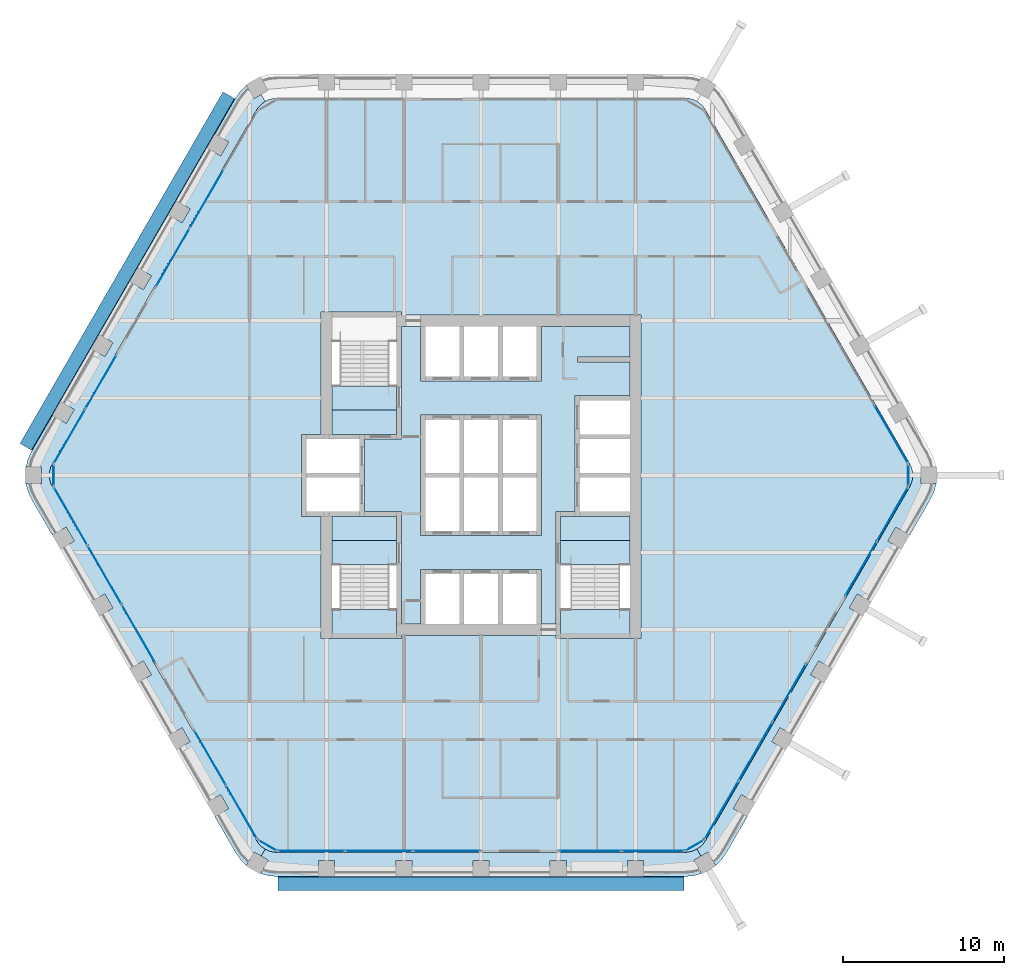
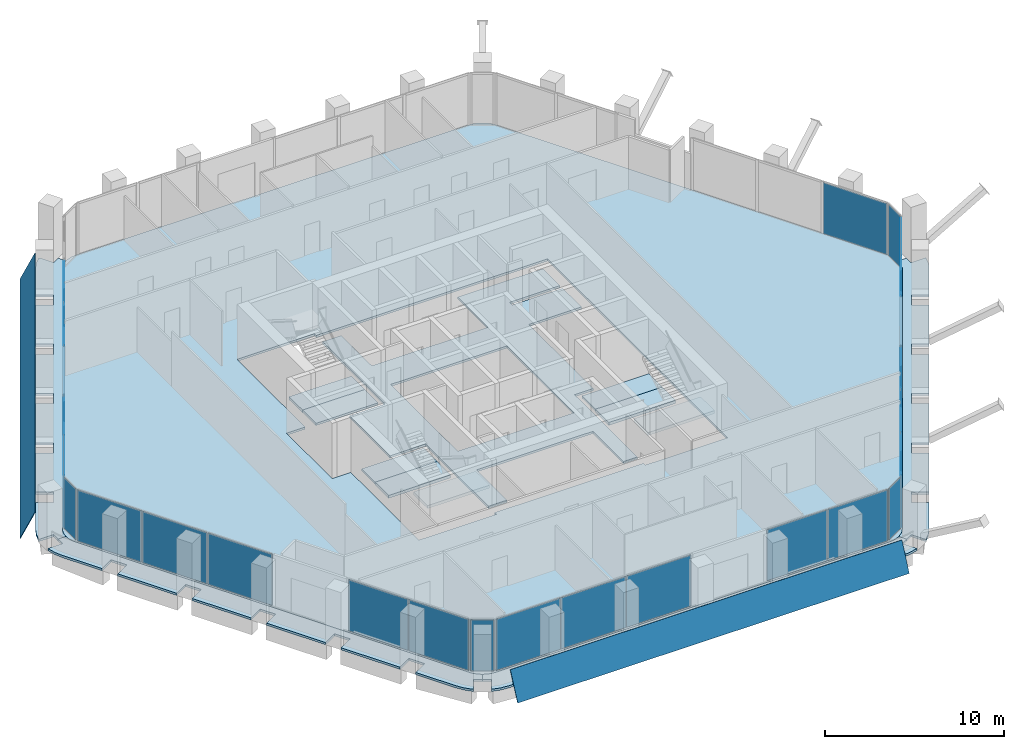
# One storey, part 8 of 16: 26 plates, 14 slabs, 16 elements without a shape of their own.
"""IFC4 building model written with IfcOpenShell, lengths in metres."""

import ifcopenshell
import ifcopenshell.guid

model = None  # the IFC model being written
_history = None  # IfcOwnerHistory: only IFC2X3 demands one
_inside = {}  # id of a spatial element -> (the spatial element, [elements in it])
_under = {}  # id of a project, library or spatial element -> (it, [spatial elements below it])
_declared = {}  # id of a project -> (the project, [libraries it declares])
_typed = {}  # id of a type object -> (the type object, [elements of that type])
_made_of = {}  # id of a material, layer set ... -> (it, [elements and type objects made of it])


def new_model(schema):
    """Start an empty IFC model of exactly this schema.

    Asked for "IFC4X3", IfcOpenShell would pick the latest addendum, in which some entities
    have other attributes; the version numbers below select the first issue.
    IFC2X3 requires an IfcOwnerHistory on every rooted entity: one is made here for all.
    """
    global model, _history
    if schema == "IFC4X3":
        model = ifcopenshell.file(schema_version=(4, 3, 0, 0))
    else:
        model = ifcopenshell.file(schema=schema)
    _inside.clear()
    _under.clear()
    _declared.clear()
    _typed.clear()
    _made_of.clear()
    _history = None
    if model.schema == "IFC2X3":
        org = make("IfcOrganization", Name="unknown")
        user = make(
            "IfcPersonAndOrganization",
            ThePerson=make("IfcPerson", FamilyName="unknown"),
            TheOrganization=org,
        )
        app = make(
            "IfcApplication",
            ApplicationDeveloper=org,
            Version="unknown",
            ApplicationFullName="unknown",
            ApplicationIdentifier="unknown",
        )
        _history = make(
            "IfcOwnerHistory",
            OwningUser=user,
            OwningApplication=app,
            ChangeAction="ADDED",
            CreationDate=0,
        )
    return model


def make(cls, **values):
    """One entity of the class cls with the attributes given. An attribute that is None is left unset."""
    return model.create_entity(
        cls, **{name: value for name, value in values.items() if value is not None}
    )


def rooted(cls, **values):
    """An entity with a GlobalId (a new one), such as an element, a storey or a relation."""
    return make(cls, GlobalId=ifcopenshell.guid.new(), OwnerHistory=_history, **values)


def si_unit(unit_type, name, prefix=None):
    """IfcSIUnit, for example si_unit("LENGTHUNIT", "METRE", prefix="MILLI")."""
    return make("IfcSIUnit", UnitType=unit_type, Prefix=prefix, Name=name)


def assignment(units):
    """IfcUnitAssignment: the units of a project."""
    return None if units is None else make("IfcUnitAssignment", Units=units)


def point(xyz):
    """IfcCartesianPoint."""
    return None if xyz is None else make("IfcCartesianPoint", Coordinates=xyz)


def direction(xyz):
    """IfcDirection."""
    return None if xyz is None else make("IfcDirection", DirectionRatios=xyz)


def frame(location, z_axis=None, x_axis=None):
    """IfcAxis2Placement3D, a coordinate frame: its origin and axes. An axis left out is left unset."""
    return make(
        "IfcAxis2Placement3D",
        Location=point(location),
        Axis=direction(z_axis),
        RefDirection=direction(x_axis),
    )


def frame_2d(location, x_axis=None):
    """IfcAxis2Placement2D, a coordinate frame in the plane: its origin and x axis."""
    return make(
        "IfcAxis2Placement2D", Location=point(location), RefDirection=direction(x_axis)
    )


def origin():
    """The frame at (0, 0, 0) with its axes left unset."""
    return frame((0.0, 0.0, 0.0))


def origin_2d():
    """The frame at (0, 0) in the plane with its x axis left unset."""
    return frame_2d((0.0, 0.0))


def place(relative_to, where):
    """IfcLocalPlacement: puts the frame where relative to a parent placement (None: the world)."""
    return make(
        "IfcLocalPlacement", PlacementRelTo=relative_to, RelativePlacement=where
    )


def context(
    kind, dimensions, precision=None, world=None, true_north=None, identifier=None
):
    """IfcGeometricRepresentationContext, for example the 3D "Model" context."""
    return make(
        "IfcGeometricRepresentationContext",
        ContextIdentifier=identifier,
        ContextType=kind,
        CoordinateSpaceDimension=dimensions,
        Precision=precision,
        WorldCoordinateSystem=world,
        TrueNorth=true_north,
    )


def subcontext(parent, identifier, kind, view, scale=None):
    """IfcGeometricRepresentationSubContext, for example "Body" below "Model"."""
    return make(
        "IfcGeometricRepresentationSubContext",
        ContextIdentifier=identifier,
        ContextType=kind,
        ParentContext=parent,
        TargetScale=scale,
        TargetView=view,
    )


def project(units=None, contexts=None):
    """IfcProject with its units and contexts."""
    return rooted(
        "IfcProject",
        Name="project",
        RepresentationContexts=contexts,
        UnitsInContext=assignment(units),
    )


def spatial(cls, under=None, at=None, **own):
    """A site, building, storey or space (cls), placed at a placement, below another one or the project."""
    s = rooted(cls, ObjectPlacement=at, **own)
    if under is not None:
        _under.setdefault(under.id(), (under, []))[1].append(s)
    return s


def polyline(points):
    """IfcPolyline through the points."""
    return make("IfcPolyline", Points=[point(p) for p in points])


def profile(cls, at=None, kind="AREA", **sizes):
    """A parametric profile (cls). Its sizes go by their IFC names, for example OverallWidth=200.0."""
    return make(cls, ProfileType=kind, Position=at, **sizes)


def rectangle(**sizes):
    """IfcRectangleProfileDef."""
    return profile("IfcRectangleProfileDef", **sizes)


def outline(outer, holes=None, kind="AREA"):
    """IfcArbitraryClosedProfileDef: a profile drawn as a closed curve; with holes, ...WithVoids."""
    if holes is None:
        return make("IfcArbitraryClosedProfileDef", ProfileType=kind, OuterCurve=outer)
    return make(
        "IfcArbitraryProfileDefWithVoids",
        ProfileType=kind,
        OuterCurve=outer,
        InnerCurves=holes,
    )


def extrude(swept, where, along, depth):
    """IfcExtrudedAreaSolid: the profile swept, set in the frame where, extruded along a direction by depth."""
    return make(
        "IfcExtrudedAreaSolid",
        SweptArea=swept,
        Position=where,
        ExtrudedDirection=direction(along),
        Depth=depth,
    )


def shape(context_of_items, identifier, shape_type, items):
    """IfcShapeRepresentation: the items that make up one representation, for example the "Body"."""
    return make(
        "IfcShapeRepresentation",
        ContextOfItems=context_of_items,
        RepresentationIdentifier=identifier,
        RepresentationType=shape_type,
        Items=items,
    )


def material(Name=None, Category=None):
    """IfcMaterial."""
    return make("IfcMaterial", Name=Name, Category=Category)


def layer(
    of_material, thickness, ventilated=None, Name=None, Category=None, Priority=None
):
    """IfcMaterialLayer: one layer of a wall or slab, of a material (None: an air gap)."""
    return make(
        "IfcMaterialLayer",
        Material=of_material,
        LayerThickness=thickness,
        IsVentilated=ventilated,
        Name=Name,
        Category=Category,
        Priority=Priority,
    )


def layer_set(layers, Name=None):
    """IfcMaterialLayerSet."""
    return make("IfcMaterialLayerSet", MaterialLayers=layers, LayerSetName=Name)


def made_of(thing, what):
    """Note that an element or type object is made of a material, layer set ...; save() writes the relation."""
    if what is not None:
        _made_of.setdefault(what.id(), (what, []))[1].append(thing)
    return thing


def type_object(cls, material=None, **own):
    """A type object (cls), such as IfcWallType, which elements share."""
    return made_of(rooted(cls, **own), material)


def element(
    cls,
    number,
    at=None,
    inside=None,
    cuts=None,
    type_object=None,
    material=None,
    context=None,
    identifier="Body",
    shape_type=None,
    held_by="IfcProductDefinitionShape",
    body=None,
    shapes=None,
    **own,
):
    """One element of the class cls, such as IfcWall. Its Tag is "e" and its number.

    at: its placement. inside: the storey or other place that contains it. cuts: it is an
    opening in that element (IfcRelVoidsElement). A single representation is given by context,
    identifier, shape_type and body (its items); several are given by shapes. held_by: the class
    of the entity that holds the representations. save() writes the other relations.
    """
    e = rooted(cls, Tag="e%d" % number, ObjectPlacement=at, **own)
    if body is not None:
        shapes = [shape(context, identifier, shape_type, body)]
    if shapes is not None:
        e.Representation = make(held_by, Representations=shapes)
    if inside is not None:
        _inside.setdefault(inside.id(), (inside, []))[1].append(e)
    if cuts is not None:
        rooted(
            "IfcRelVoidsElement", RelatingBuildingElement=cuts, RelatedOpeningElement=e
        )
    if type_object is not None:
        _typed.setdefault(type_object.id(), (type_object, []))[1].append(e)
    return made_of(e, material)


def aggregate(whole, parts):
    """IfcRelAggregates: a whole, such as a stair, and the parts it consists of."""
    return rooted("IfcRelAggregates", RelatingObject=whole, RelatedObjects=parts)


def save(model, path):
    """Write the relations noted so far, then the file.

    IfcRelAggregates (storeys below a building ...), IfcRelContainedInSpatialStructure (elements
    in a storey), IfcRelDefinesByType, IfcRelAssociatesMaterial and IfcRelDeclares: one each for
    every whole, place, type object, material and project.
    """
    for whole, parts in _under.values():
        aggregate(whole, parts)
    for where, things in _inside.values():
        rooted(
            "IfcRelContainedInSpatialStructure",
            RelatedElements=things,
            RelatingStructure=where,
        )
    for kind, things in _typed.values():
        rooted("IfcRelDefinesByType", RelatedObjects=things, RelatingType=kind)
    for what, things in _made_of.values():
        rooted("IfcRelAssociatesMaterial", RelatedObjects=things, RelatingMaterial=what)
    for by, libraries in _declared.values():
        rooted("IfcRelDeclares", RelatingContext=by, RelatedDefinitions=libraries)
    model.write(path)


model = new_model("IFC4")

# Units and contexts
model_context = context("Model", 3, precision=1e-05, world=origin(), true_north=direction((0.0, 1.0)))
body_context = subcontext(model_context, "Body", "Model", "MODEL_VIEW")
ifc_project = project(units=[si_unit("LENGTHUNIT", "METRE"), si_unit("AREAUNIT", "SQUARE_METRE"), si_unit("VOLUMEUNIT", "CUBIC_METRE"), si_unit("PLANEANGLEUNIT", "RADIAN"), si_unit("MASSUNIT", "GRAM", prefix="KILO")], contexts=[model_context])

# Site, building, storey
site_placement = place(None, origin())
site = spatial("IfcSite", under=ifc_project, at=site_placement, CompositionType="ELEMENT")
building_placement = place(site_placement, origin())
building = spatial("IfcBuilding", under=site, at=building_placement, Name="Kolab Exchange Tower", CompositionType="ELEMENT")
storey_placement = place(building_placement, frame((0.0, 0.0, 177.800048828125)))
storey = spatial("IfcBuildingStorey", under=building, at=storey_placement, Name="L37", CompositionType="ELEMENT", Elevation=177.800048828125)

# Slabs
ifc_material_1 = material(Name="Concrete C35/45", Category="concrete")
ifc_layer_1 = layer(ifc_material_1, 0.14990234375)
ifc_layer_set_1 = layer_set([ifc_layer_1], Name="Concrete C35/45")
slab_type_1 = type_object("IfcSlabType", Name="FLOOR SLAB 150", PredefinedType="FLOOR", material=ifc_layer_set_1)
slab_1_placement = place(storey_placement, frame((0.0, 0.0, -0.150146484375)))
element("IfcSlab", 1, at=slab_1_placement, inside=storey, type_object=slab_type_1, Name="slab/L37/floor/0", PredefinedType="FLOOR", context=body_context, shape_type="SweptSolid", body=[
    extrude(outline(polyline([(13.967041015625, -22.691650390625), (26.635009765625, -0.75), (26.745361328125, -0.512939453125), (26.81298828125, -0.260498046875), (26.8359375, 0.0), (26.81298828125, 0.260498046875), (26.745361328125, 0.512939453125), (26.635009765625, 0.75), (13.967041015625, 22.691650390625), (13.81689453125, 22.90576171875), (13.632080078125, 23.090576171875), (13.41796875, 23.240478515625), (13.180908203125, 23.35107421875), (12.928466796875, 23.418701171875), (12.66796875, 23.441650390625), (-12.66796875, 23.441650390625), (-12.928466796875, 23.418701171875), (-13.180908203125, 23.35107421875), (-13.41796875, 23.240478515625), (-13.632080078125, 23.090576171875), (-13.81689453125, 22.90576171875), (-13.967041015625, 22.691650390625), (-26.635009765625, 0.75), (-26.745361328125, 0.512939453125), (-26.81298828125, 0.260498046875), (-26.8359375, 0.0), (-26.81298828125, -0.260498046875), (-26.745361328125, -0.512939453125), (-26.635009765625, -0.75), (-13.967041015625, -22.691650390625), (-13.81689453125, -22.90576171875), (-13.632080078125, -23.090576171875), (-13.41796875, -23.240478515625), (-13.180908203125, -23.35107421875), (-12.928466796875, -23.418701171875), (-12.66796875, -23.441650390625), (12.66796875, -23.441650390625), (12.928466796875, -23.418701171875), (13.180908203125, -23.35107421875), (13.41796875, -23.240478515625), (13.632080078125, -23.090576171875), (13.81689453125, -22.90576171875), (13.967041015625, -22.691650390625)]), holes=[polyline([(-9.25, -10.14990234375), (-9.949951171875, -10.14990234375), (-9.949951171875, -2.550048828125), (-10.85009765625, -2.550048828125), (-11.14990234375, -2.550048828125), (-11.14990234375, 2.550048828125), (-10.85009765625, 2.550048828125), (-9.949951171875, 2.550048828125), (-9.949951171875, 10.14990234375), (-9.25, 10.14990234375), (-5.25, 10.14990234375), (-4.949951171875, 10.14990234375), (-4.949951171875, 9.949951171875), (9.25, 9.949951171875), (9.949951171875, 9.949951171875), (9.949951171875, -10.14990234375), (9.25, -10.14990234375), (4.949951171875, -10.14990234375), (4.64990234375, -10.14990234375), (4.64990234375, -9.949951171875), (-4.949951171875, -9.949951171875), (-4.949951171875, -10.14990234375), (-5.25, -10.14990234375), (-9.25, -10.14990234375)])]), origin(), (0.0, 0.0, 1.0), 0.150146484375),
])
slab_2_placement = place(storey_placement, frame((0.0, 0.0, -0.150146484375)))
element("IfcSlab", 2, at=slab_2_placement, inside=storey, type_object=slab_type_1, Name="slab/L37/floor/1", PredefinedType="FLOOR", context=body_context, shape_type="SweptSolid", body=[
    extrude(outline(polyline([(-4.949951171875, 9.25), (-4.949951171875, 2.25), (-5.25, 2.25), (-7.25, 2.25), (-7.25, -2.25), (-5.25, -2.25), (-4.949951171875, -2.25), (-4.949951171875, -9.25), (-3.75, -9.25), (-3.75, -5.85009765625), (-3.449951171875, -5.85009765625), (-1.35009765625, -5.85009765625), (-1.050048828125, -5.85009765625), (1.050048828125, -5.85009765625), (1.35009765625, -5.85009765625), (3.449951171875, -5.85009765625), (3.75, -5.85009765625), (3.75, -9.25), (4.64990234375, -9.25), (4.64990234375, -2.25), (4.949951171875, -2.25), (5.85009765625, -2.25), (5.85009765625, 4.949951171875), (6.14990234375, 4.949951171875), (9.25, 4.949951171875), (9.25, 7.050048828125), (6.0, 7.050048828125), (6.0, 7.35009765625), (9.25, 7.35009765625), (9.25, 9.25), (3.75, 9.25), (3.75, 5.85009765625), (3.449951171875, 5.85009765625), (1.35009765625, 5.85009765625), (1.050048828125, 5.85009765625), (-1.050048828125, 5.85009765625), (-1.35009765625, 5.85009765625), (-3.449951171875, 5.85009765625), (-3.75, 5.85009765625), (-3.75, 9.25), (-4.949951171875, 9.25)]), holes=[polyline([(-3.449951171875, -3.75), (-3.75, -3.75), (-3.75, 3.75), (-3.449951171875, 3.75), (-1.35009765625, 3.75), (-1.050048828125, 3.75), (1.050048828125, 3.75), (1.35009765625, 3.75), (3.449951171875, 3.75), (3.75, 3.75), (3.75, -3.75), (3.449951171875, -3.75), (1.35009765625, -3.75), (1.050048828125, -3.75), (-1.050048828125, -3.75), (-1.35009765625, -3.75), (-3.449951171875, -3.75)])]), origin(), (0.0, 0.0, 1.0), 0.150146484375),
])
slab_3_placement = place(storey_placement, frame((0.0, 0.0, -0.150146484375)))
element("IfcSlab", 3, at=slab_3_placement, inside=storey, type_object=slab_type_1, Name="slab/L37/floor/2", PredefinedType="FLOOR", context=body_context, shape_type="SweptSolid", body=[
    extrude(outline(polyline([(4.949951171875, -4.050048828125), (9.25, -4.050048828125), (9.25, -2.550048828125), (6.14990234375, -2.550048828125), (5.85009765625, -2.550048828125), (4.949951171875, -2.550048828125), (4.949951171875, -4.050048828125)])), origin(), (0.0, 0.0, 1.0), 0.150146484375),
])
slab_4_placement = place(storey_placement, frame((0.0, 0.0, -0.150146484375)))
element("IfcSlab", 4, at=slab_4_placement, inside=storey, type_object=slab_type_1, Name="slab/L37/floor/3", PredefinedType="FLOOR", context=body_context, shape_type="SweptSolid", body=[
    extrude(outline(polyline([(-7.550048828125, -2.550048828125), (-9.25, -2.550048828125), (-9.25, -4.050048828125), (-5.25, -4.050048828125), (-5.25, -2.550048828125), (-7.25, -2.550048828125), (-7.550048828125, -2.550048828125)])), origin(), (0.0, 0.0, 1.0), 0.150146484375),
])
slab_5_placement = place(storey_placement, frame((0.0, 0.0, -0.150146484375)))
element("IfcSlab", 5, at=slab_5_placement, inside=storey, type_object=slab_type_1, Name="slab/L37/floor/4", PredefinedType="FLOOR", context=body_context, shape_type="SweptSolid", body=[
    extrude(outline(polyline([(-9.25, 2.550048828125), (-7.550048828125, 2.550048828125), (-7.25, 2.550048828125), (-5.25, 2.550048828125), (-5.25, 4.050048828125), (-9.25, 4.050048828125), (-9.25, 2.550048828125)])), origin(), (0.0, 0.0, 1.0), 0.150146484375),
])
ifc_layer_2 = layer(ifc_material_1, 0.14990234375)
ifc_layer_set_2 = layer_set([ifc_layer_2], Name="Concrete C35/45")
slab_type_2 = type_object("IfcSlabType", Name="LOGGIA SLAB 150", PredefinedType="FLOOR", material=ifc_layer_set_2)
slab_6_placement = place(storey_placement, frame((0.0, 0.0, -0.150146484375)))
element("IfcSlab", 6, at=slab_6_placement, inside=storey, type_object=slab_type_2, Name="slab/L37/loggia/2-0", PredefinedType="FLOOR", context=body_context, shape_type="SweptSolid", body=[
    extrude(outline(polyline([(15.26611328125, -23.441650390625), (16.550048828125, -21.217529296875), (15.68408203125, -20.717529296875), (16.18408203125, -19.8515625), (17.050048828125, -20.3515625), (18.949951171875, -17.060791015625), (18.083984375, -16.560791015625), (18.583984375, -15.694580078125), (19.449951171875, -16.194580078125), (21.35009765625, -12.90380859375), (20.48388671875, -12.40380859375), (20.98388671875, -11.537841796875), (21.85009765625, -12.037841796875), (23.75, -8.746826171875), (22.884033203125, -8.246826171875), (23.384033203125, -7.380859375), (24.25, -7.880859375), (26.14990234375, -4.58984375), (25.283935546875, -4.08984375), (25.783935546875, -3.223876953125), (26.64990234375, -3.723876953125), (27.93408203125, -1.5), (28.155029296875, -1.026123046875), (28.290283203125, -0.52099609375), (28.292236328125, -0.5), (27.3359375, -0.5), (27.3359375, 0.0), (26.8359375, 0.0), (26.81298828125, -0.260498046875), (26.745361328125, -0.512939453125), (26.635009765625, -0.75), (13.967041015625, -22.691650390625), (13.81689453125, -22.90576171875), (13.632080078125, -23.090576171875), (13.41796875, -23.240478515625), (13.66796875, -23.673583984375), (14.10107421875, -23.423583984375), (14.5791015625, -24.251708984375), (14.59619140625, -24.23974609375), (14.966064453125, -23.869873046875), (15.26611328125, -23.441650390625)])), origin(), (0.0, 0.0, 1.0), 0.150146484375),
])
slab_7_placement = place(storey_placement, frame((0.0, 0.0, -0.150146484375)))
element("IfcSlab", 7, at=slab_7_placement, inside=storey, type_object=slab_type_2, Name="slab/L37/loggia/3-0", PredefinedType="FLOOR", context=body_context, shape_type="SweptSolid", body=[
    extrude(outline(polyline([(-13.41796875, -23.240478515625), (-13.66796875, -23.673583984375), (-13.23486328125, -23.923583984375), (-13.713134765625, -24.751708984375), (-13.694091796875, -24.760498046875), (-13.18896484375, -24.89599609375), (-12.66796875, -24.941650390625), (-10.10009765625, -24.941650390625), (-10.10009765625, -23.941650390625), (-9.10009765625, -23.941650390625), (-9.10009765625, -24.941650390625), (-5.300048828125, -24.941650390625), (-5.300048828125, -23.941650390625), (-4.300048828125, -23.941650390625), (-4.300048828125, -24.941650390625), (-0.5, -24.941650390625), (-0.5, -23.941650390625), (0.5, -23.941650390625), (0.5, -24.941650390625), (4.300048828125, -24.941650390625), (4.300048828125, -23.941650390625), (5.300048828125, -23.941650390625), (5.300048828125, -24.941650390625), (9.10009765625, -24.941650390625), (9.10009765625, -23.941650390625), (10.10009765625, -23.941650390625), (10.10009765625, -24.941650390625), (12.66796875, -24.941650390625), (13.18896484375, -24.89599609375), (13.694091796875, -24.760498046875), (13.713134765625, -24.751708984375), (13.23486328125, -23.923583984375), (13.66796875, -23.673583984375), (13.41796875, -23.240478515625), (13.180908203125, -23.35107421875), (12.928466796875, -23.418701171875), (12.66796875, -23.441650390625), (-12.66796875, -23.441650390625), (-12.928466796875, -23.418701171875), (-13.180908203125, -23.35107421875), (-13.41796875, -23.240478515625)])), origin(), (0.0, 0.0, 1.0), 0.150146484375),
])
slab_8_placement = place(storey_placement, frame((0.0, 0.0, -0.150146484375)))
element("IfcSlab", 8, at=slab_8_placement, inside=storey, type_object=slab_type_2, Name="slab/L37/loggia/4-0", PredefinedType="FLOOR", context=body_context, shape_type="SweptSolid", body=[
    extrude(outline(polyline([(-26.8359375, 0.0), (-27.3359375, 0.0), (-27.3359375, -0.5), (-28.292236328125, -0.5), (-28.290283203125, -0.52099609375), (-28.155029296875, -1.026123046875), (-27.93408203125, -1.5), (-26.64990234375, -3.723876953125), (-25.783935546875, -3.223876953125), (-25.283935546875, -4.08984375), (-26.14990234375, -4.58984375), (-24.25, -7.880859375), (-23.384033203125, -7.380859375), (-22.884033203125, -8.246826171875), (-23.75, -8.746826171875), (-21.85009765625, -12.037841796875), (-20.98388671875, -11.537841796875), (-20.48388671875, -12.40380859375), (-21.35009765625, -12.90380859375), (-19.449951171875, -16.194580078125), (-18.583984375, -15.694580078125), (-18.083984375, -16.560791015625), (-18.949951171875, -17.060791015625), (-17.050048828125, -20.3515625), (-16.18408203125, -19.8515625), (-15.68408203125, -20.717529296875), (-16.550048828125, -21.217529296875), (-15.26611328125, -23.441650390625), (-14.966064453125, -23.869873046875), (-14.59619140625, -24.23974609375), (-14.5791015625, -24.251708984375), (-14.10107421875, -23.423583984375), (-13.66796875, -23.673583984375), (-13.41796875, -23.240478515625), (-13.632080078125, -23.090576171875), (-13.81689453125, -22.90576171875), (-13.967041015625, -22.691650390625), (-26.635009765625, -0.75), (-26.745361328125, -0.512939453125), (-26.81298828125, -0.260498046875), (-26.8359375, 0.0)])), origin(), (0.0, 0.0, 1.0), 0.150146484375),
])
slab_9_placement = place(storey_placement, frame((0.0, 0.0, -0.150146484375)))
element("IfcSlab", 9, at=slab_9_placement, inside=storey, type_object=slab_type_2, Name="slab/L37/loggia/5-0", PredefinedType="FLOOR", context=body_context, shape_type="SweptSolid", body=[
    extrude(outline(polyline([(-13.41796875, 23.240478515625), (-13.66796875, 23.673583984375), (-14.10107421875, 23.423583984375), (-14.5791015625, 24.251708984375), (-14.59619140625, 24.23974609375), (-14.966064453125, 23.869873046875), (-15.26611328125, 23.441650390625), (-16.550048828125, 21.217529296875), (-15.68408203125, 20.717529296875), (-16.18408203125, 19.8515625), (-17.050048828125, 20.3515625), (-18.949951171875, 17.060791015625), (-18.083984375, 16.560791015625), (-18.583984375, 15.694580078125), (-19.449951171875, 16.194580078125), (-21.35009765625, 12.90380859375), (-20.48388671875, 12.40380859375), (-20.98388671875, 11.537841796875), (-21.85009765625, 12.037841796875), (-23.75, 8.746826171875), (-22.884033203125, 8.246826171875), (-23.384033203125, 7.380859375), (-24.25, 7.880859375), (-26.14990234375, 4.58984375), (-25.283935546875, 4.08984375), (-25.783935546875, 3.223876953125), (-26.64990234375, 3.723876953125), (-27.93408203125, 1.5), (-28.155029296875, 1.026123046875), (-28.290283203125, 0.52099609375), (-28.292236328125, 0.5), (-27.3359375, 0.5), (-27.3359375, 0.0), (-26.8359375, 0.0), (-26.81298828125, 0.260498046875), (-26.745361328125, 0.512939453125), (-26.635009765625, 0.75), (-13.967041015625, 22.691650390625), (-13.81689453125, 22.90576171875), (-13.632080078125, 23.090576171875), (-13.41796875, 23.240478515625)])), origin(), (0.0, 0.0, 1.0), 0.150146484375),
])

# Plates
ifc_material_2 = material(Name="Laminated glass, clear", Category="glass")
ifc_layer_3 = layer(ifc_material_2, 0.0400390625)
ifc_layer_set_3 = layer_set([ifc_layer_3], Name="Laminated glass, clear")
plate_type_1 = type_object("IfcPlateType", Name="OUTER SKIN LAMINATED GLASS SHEET 40", PredefinedType="SHEET", material=ifc_layer_set_3)
plate_1_placement = place(storey_placement, frame((12.617919921875, -25.806640625, -0.68310546875), z_axis=(0.0, -0.90629442354, 0.42264691867), x_axis=(-1.0, 0.0, 0.0)))
element("IfcPlate", 10, at=plate_1_placement, inside=storey, type_object=plate_type_1, Name="Outer skin", PredefinedType="SHEET", context=body_context, shape_type="SweptSolid", body=[
    extrude(outline(polyline([(0.0, 0.0), (25.23583984375, 0.0), (25.23583984375, -1.9611107647099728), (0.0, -1.9611107647099728), (0.0, 0.0)])), origin(), (0.0, 0.0, -1.0), 0.0400390625),
])
plate_2_placement = place(storey_placement, frame((-28.658203125, 1.975830078125, -0.68310546875), z_axis=(-0.784879402523, 0.453150748855, 0.422633082363), x_axis=(0.49999996891, 0.866025421734, -9.26397e-07)))
element("IfcPlate", 11, at=plate_2_placement, inside=storey, type_object=plate_type_1, Name="Outer skin", PredefinedType="SHEET", context=body_context, shape_type="SweptSolid", body=[
    extrude(outline(polyline([(0.0, 0.0), (25.235928246078725, 0.0), (25.235801780826137, -1.9611225980101963), (8.496673513867198e-05, -1.9610710072384852), (0.0, 0.0)])), origin(), (0.0, 0.0, -1.0), 0.0400390625),
])

# Stair, slab
ifc_material_3 = material(Name="Concrete C50/60", Category="concrete")
stair_type_1 = type_object("IfcStairType", Name="STAIR ST1 RISER 177.3", PredefinedType="HALF_TURN_STAIR", material=ifc_material_3)
stair_1_placement = place(storey_placement, origin())
stair_1 = element("IfcStair", 12, at=stair_1_placement, inside=storey, type_object=stair_type_1, Name="Stair 1", PredefinedType="HALF_TURN_STAIR")
ifc_layer_4 = layer(ifc_material_3, 0.199951171875)
ifc_layer_set_4 = layer_set([ifc_layer_4], Name="Concrete C50/60")
slab_type_3 = type_object("IfcSlabType", Name="STAIR LANDING 200", PredefinedType="LANDING", material=ifc_layer_set_4)
slab_10_placement = place(storey_placement, frame((0.0, 0.0, -0.199951171875)))
slab_10 = element("IfcSlab", 13, at=slab_10_placement, type_object=slab_type_3, Name="ST1 landing 1", PredefinedType="LANDING", context=body_context, shape_type="SweptSolid", body=[
    extrude(outline(polyline([(-9.25, 4.050048828125), (-5.25, 4.050048828125), (-5.25, 5.550048828125), (-9.25, 5.550048828125), (-9.25, 4.050048828125)])), origin(), (0.0, 0.0, 1.0), 0.199951171875),
])
aggregate(stair_1, [slab_10])

# Stair, slabs
stair_type_2 = type_object("IfcStairType", Name="STAIR ST3 RISER 177.3", PredefinedType="HALF_TURN_STAIR", material=ifc_material_3)
stair_2_placement = place(storey_placement, origin())
stair_2 = element("IfcStair", 14, at=stair_2_placement, inside=storey, type_object=stair_type_2, Name="Stair 3", PredefinedType="HALF_TURN_STAIR")
slab_11_placement = place(storey_placement, frame((0.0, 0.0, -0.199951171875)))
slab_11 = element("IfcSlab", 15, at=slab_11_placement, type_object=slab_type_3, Name="ST3 landing 1", PredefinedType="LANDING", context=body_context, shape_type="SweptSolid", body=[
    extrude(outline(polyline([(-9.25, -5.550048828125), (-5.25, -5.550048828125), (-5.25, -4.050048828125), (-9.25, -4.050048828125), (-9.25, -5.550048828125)])), origin(), (0.0, 0.0, 1.0), 0.199951171875),
])
slab_12_placement = place(storey_placement, frame((0.0, 0.0, 1.75)))
slab_12 = element("IfcSlab", 16, at=slab_12_placement, type_object=slab_type_3, Name="ST3 landing 2", PredefinedType="LANDING", context=body_context, shape_type="SweptSolid", body=[
    extrude(outline(polyline([(-9.25, -9.909912109375), (-5.25, -9.909912109375), (-5.25, -8.35009765625), (-9.25, -8.35009765625), (-9.25, -9.909912109375)])), origin(), (0.0, 0.0, 1.0), 0.199951171875),
])
aggregate(stair_2, [slab_11, slab_12])

stair_type_3 = type_object("IfcStairType", Name="STAIR ST2 RISER 177.3", PredefinedType="HALF_TURN_STAIR", material=ifc_material_3)
stair_3_placement = place(storey_placement, origin())
stair_3 = element("IfcStair", 17, at=stair_3_placement, inside=storey, type_object=stair_type_3, Name="Stair 2", PredefinedType="HALF_TURN_STAIR")
slab_13_placement = place(storey_placement, frame((0.0, 0.0, -0.199951171875)))
slab_13 = element("IfcSlab", 18, at=slab_13_placement, type_object=slab_type_3, Name="ST2 landing 1", PredefinedType="LANDING", context=body_context, shape_type="SweptSolid", body=[
    extrude(outline(polyline([(4.949951171875, -5.550048828125), (9.25, -5.550048828125), (9.25, -4.050048828125), (4.949951171875, -4.050048828125), (4.949951171875, -5.550048828125)])), origin(), (0.0, 0.0, 1.0), 0.199951171875),
])
slab_14_placement = place(storey_placement, frame((0.0, 0.0, 1.75)))
slab_14 = element("IfcSlab", 19, at=slab_14_placement, type_object=slab_type_3, Name="ST2 landing 2", PredefinedType="LANDING", context=body_context, shape_type="SweptSolid", body=[
    extrude(outline(polyline([(4.949951171875, -9.909912109375), (9.25, -9.909912109375), (9.25, -8.35009765625), (4.949951171875, -8.35009765625), (4.949951171875, -9.909912109375)])), origin(), (0.0, 0.0, 1.0), 0.199951171875),
])
aggregate(stair_3, [slab_13, slab_14])

# Curtain wall, plate
ifc_material_4 = material(Name="Aluminium EN AW-6063 T6", Category="aluminium")
curtain_wall_type = type_object("IfcCurtainWallType", Name="UNITISED UPPER MID ZONE CURTAIN WALL", PredefinedType="NOTDEFINED", material=ifc_material_4)
curtain_wall_1_placement = place(storey_placement, origin())
curtain_wall_1 = element("IfcCurtainWall", 20, at=curtain_wall_1_placement, inside=storey, type_object=curtain_wall_type, Name="cw/L37/F2-2", PredefinedType="NOTDEFINED")
ifc_material_5 = material(Name="Clear insulated glazing unit", Category="glass")
ifc_layer_5 = layer(ifc_material_5, 0.028076171875)
ifc_layer_set_5 = layer_set([ifc_layer_5], Name="Clear insulated glazing unit")
plate_type_2 = type_object("IfcPlateType", Name="UNITISED UPPER MID ZONE GLASS PANEL 28", PredefinedType="CURTAIN_PANEL", material=ifc_layer_set_5)
plate_3_placement = place(storey_placement, frame((25.50244140625, 2.551513671875, 0.06005859375), z_axis=(0.0, 0.0, 1.0), x_axis=(0.499999958358, -0.866025427826, 0.0)))
plate_3 = element("IfcPlate", 21, at=plate_3_placement, type_object=plate_type_2, Name="CW3 panel 3.1", PredefinedType="CURTAIN_PANEL", context=body_context, shape_type="SweptSolid", body=[
    extrude(rectangle(XDim=4.132568359375, YDim=0.028076171875, at=origin_2d()), origin(), (0.0, 0.0, 1.0), 3.47998046875),
])
aggregate(curtain_wall_1, [plate_3])

# Curtain wall, plates
curtain_wall_2_placement = place(storey_placement, origin())
curtain_wall_2 = element("IfcCurtainWall", 22, at=curtain_wall_2_placement, inside=storey, type_object=curtain_wall_type, Name="cw/L37/F3-1", PredefinedType="NOTDEFINED")
plate_4_placement = place(storey_placement, frame((25.57470703125, -2.426513671875, 0.06005859375), z_axis=(0.0, 0.0, 1.0), x_axis=(-0.499999936366, -0.866025440524, 0.0)))
plate_4 = element("IfcPlate", 23, at=plate_4_placement, type_object=plate_type_2, Name="CW3 panel 1.1", PredefinedType="CURTAIN_PANEL", context=body_context, shape_type="SweptSolid", body=[
    extrude(rectangle(XDim=3.843994140625, YDim=0.028076171875, at=origin_2d()), origin(), (0.0, 0.0, 1.0), 3.47998046875),
])
plate_5_placement = place(storey_placement, frame((23.62255859375, -5.807373046875, 0.06005859375), z_axis=(0.0, 0.0, 1.0), x_axis=(-0.499999936366, -0.866025440524, 0.0)))
plate_5 = element("IfcPlate", 24, at=plate_5_placement, type_object=plate_type_2, Name="CW3 panel 2.1", PredefinedType="CURTAIN_PANEL", context=body_context, shape_type="SweptSolid", body=[
    extrude(rectangle(XDim=3.843994140625, YDim=0.028076171875, at=origin_2d()), origin(), (0.0, 0.0, 1.0), 3.47998046875),
])
aggregate(curtain_wall_2, [plate_4, plate_5])

curtain_wall_3_placement = place(storey_placement, origin())
curtain_wall_3 = element("IfcCurtainWall", 25, at=curtain_wall_3_placement, inside=storey, type_object=curtain_wall_type, Name="cw/L37/F3-2", PredefinedType="NOTDEFINED")
plate_6_placement = place(storey_placement, frame((19.16845703125, -13.522216796875, 0.06005859375), z_axis=(0.0, 0.0, 1.0), x_axis=(-0.500000017564, -0.866025393644, 0.0)))
plate_6 = element("IfcPlate", 26, at=plate_6_placement, type_object=plate_type_2, Name="CW3 panel 1.1", PredefinedType="CURTAIN_PANEL", context=body_context, shape_type="SweptSolid", body=[
    extrude(rectangle(XDim=4.132568359375, YDim=0.028076171875, at=origin_2d()), origin(), (0.0, 0.0, 1.0), 3.47998046875),
])
plate_7_placement = place(storey_placement, frame((17.064697265625, -17.166259765625, 0.06005859375), z_axis=(0.0, 0.0, 1.0), x_axis=(-0.500000017564, -0.866025393644, 0.0)))
plate_7 = element("IfcPlate", 27, at=plate_7_placement, type_object=plate_type_2, Name="CW3 panel 2.1", PredefinedType="CURTAIN_PANEL", context=body_context, shape_type="SweptSolid", body=[
    extrude(rectangle(XDim=4.16259765625, YDim=0.028076171875, at=origin_2d()), origin(), (0.0, 0.0, 1.0), 3.47998046875),
])
plate_8_placement = place(storey_placement, frame((14.9609375, -20.81005859375, 0.06005859375), z_axis=(0.0, 0.0, 1.0), x_axis=(-0.500000017564, -0.866025393644, 0.0)))
plate_8 = element("IfcPlate", 28, at=plate_8_placement, type_object=plate_type_2, Name="CW3 panel 3.1", PredefinedType="CURTAIN_PANEL", context=body_context, shape_type="SweptSolid", body=[
    extrude(rectangle(XDim=4.132568359375, YDim=0.028076171875, at=origin_2d()), origin(), (0.0, 0.0, 1.0), 3.47998046875),
])
aggregate(curtain_wall_3, [plate_6, plate_7, plate_8])

curtain_wall_4_placement = place(storey_placement, origin())
curtain_wall_4 = element("IfcCurtainWall", 29, at=curtain_wall_4_placement, inside=storey, type_object=curtain_wall_type, Name="cw/L37/F4-1", PredefinedType="NOTDEFINED")
plate_9_placement = place(storey_placement, frame((10.68603515625, -23.361572265625, 0.06005859375), z_axis=(0.0, 0.0, 1.0), x_axis=(-1.0, 0.0, 0.0)))
plate_9 = element("IfcPlate", 30, at=plate_9_placement, type_object=plate_type_2, Name="CW3 panel 1.1", PredefinedType="CURTAIN_PANEL", context=body_context, shape_type="SweptSolid", body=[
    extrude(rectangle(XDim=3.843994140625, YDim=0.028076171875, at=origin_2d()), origin(), (0.0, 0.0, 1.0), 3.47998046875),
])
plate_10_placement = place(storey_placement, frame((6.781982421875, -23.361572265625, 0.06005859375), z_axis=(0.0, 0.0, 1.0), x_axis=(-1.0, 0.0, 0.0)))
plate_10 = element("IfcPlate", 31, at=plate_10_placement, type_object=plate_type_2, Name="CW3 panel 2.1", PredefinedType="CURTAIN_PANEL", context=body_context, shape_type="SweptSolid", body=[
    extrude(rectangle(XDim=3.843994140625, YDim=0.028076171875, at=origin_2d()), origin(), (0.0, 0.0, 1.0), 3.47998046875),
])
aggregate(curtain_wall_4, [plate_9, plate_10])

curtain_wall_5_placement = place(storey_placement, origin())
curtain_wall_5 = element("IfcCurtainWall", 32, at=curtain_wall_5_placement, inside=storey, type_object=curtain_wall_type, Name="cw/L37/F4-2", PredefinedType="NOTDEFINED")
plate_11_placement = place(storey_placement, frame((-2.126220703125, -23.361572265625, 0.06005859375), z_axis=(0.0, 0.0, 1.0), x_axis=(-1.0, 0.0, 0.0)))
plate_11 = element("IfcPlate", 33, at=plate_11_placement, type_object=plate_type_2, Name="CW3 panel 1.1", PredefinedType="CURTAIN_PANEL", context=body_context, shape_type="SweptSolid", body=[
    extrude(rectangle(XDim=4.132568359375, YDim=0.028076171875, at=origin_2d()), origin(), (0.0, 0.0, 1.0), 3.47998046875),
])
plate_12_placement = place(storey_placement, frame((-6.333984375, -23.361572265625, 0.06005859375), z_axis=(0.0, 0.0, 1.0), x_axis=(-1.0, 0.0, 0.0)))
plate_12 = element("IfcPlate", 34, at=plate_12_placement, type_object=plate_type_2, Name="CW3 panel 2.1", PredefinedType="CURTAIN_PANEL", context=body_context, shape_type="SweptSolid", body=[
    extrude(rectangle(XDim=4.16259765625, YDim=0.028076171875, at=origin_2d()), origin(), (0.0, 0.0, 1.0), 3.47998046875),
])
plate_13_placement = place(storey_placement, frame((-10.54150390625, -23.361572265625, 0.06005859375), z_axis=(0.0, 0.0, 1.0), x_axis=(-1.0, 0.0, 0.0)))
plate_13 = element("IfcPlate", 35, at=plate_13_placement, type_object=plate_type_2, Name="CW3 panel 3.1", PredefinedType="CURTAIN_PANEL", context=body_context, shape_type="SweptSolid", body=[
    extrude(rectangle(XDim=4.132568359375, YDim=0.028076171875, at=origin_2d()), origin(), (0.0, 0.0, 1.0), 3.47998046875),
])
aggregate(curtain_wall_5, [plate_11, plate_12, plate_13])

curtain_wall_6_placement = place(storey_placement, origin())
curtain_wall_6 = element("IfcCurtainWall", 36, at=curtain_wall_6_placement, inside=storey, type_object=curtain_wall_type, Name="cw/L37/F5-1", PredefinedType="NOTDEFINED")
plate_14_placement = place(storey_placement, frame((-14.888671875, -20.93505859375, 0.06005859375), z_axis=(0.0, 0.0, 1.0), x_axis=(-0.500000031681, 0.866025385493, 0.0)))
plate_14 = element("IfcPlate", 37, at=plate_14_placement, type_object=plate_type_2, Name="CW3 panel 1.1", PredefinedType="CURTAIN_PANEL", context=body_context, shape_type="SweptSolid", body=[
    extrude(rectangle(XDim=3.843994140625, YDim=0.028076171875, at=origin_2d()), origin(), (0.0, 0.0, 1.0), 3.47998046875),
])
plate_15_placement = place(storey_placement, frame((-16.840576171875, -17.55419921875, 0.06005859375), z_axis=(0.0, 0.0, 1.0), x_axis=(-0.500000031681, 0.866025385493, 0.0)))
plate_15 = element("IfcPlate", 38, at=plate_15_placement, type_object=plate_type_2, Name="CW3 panel 2.1", PredefinedType="CURTAIN_PANEL", context=body_context, shape_type="SweptSolid", body=[
    extrude(rectangle(XDim=3.843994140625, YDim=0.028076171875, at=origin_2d()), origin(), (0.0, 0.0, 1.0), 3.47998046875),
])
aggregate(curtain_wall_6, [plate_14, plate_15])

curtain_wall_7_placement = place(storey_placement, origin())
curtain_wall_7 = element("IfcCurtainWall", 39, at=curtain_wall_7_placement, inside=storey, type_object=curtain_wall_type, Name="cw/L37/F5-2", PredefinedType="NOTDEFINED")
plate_16_placement = place(storey_placement, frame((-21.294921875, -9.83935546875, 0.06005859375), z_axis=(0.0, 0.0, 1.0), x_axis=(-0.499999958358, 0.866025427826, 0.0)))
plate_16 = element("IfcPlate", 40, at=plate_16_placement, type_object=plate_type_2, Name="CW3 panel 1.1", PredefinedType="CURTAIN_PANEL", context=body_context, shape_type="SweptSolid", body=[
    extrude(rectangle(XDim=4.132568359375, YDim=0.028076171875, at=origin_2d()), origin(), (0.0, 0.0, 1.0), 3.47998046875),
])
plate_17_placement = place(storey_placement, frame((-23.398681640625, -6.1953125, 0.06005859375), z_axis=(0.0, 0.0, 1.0), x_axis=(-0.499999958358, 0.866025427826, 0.0)))
plate_17 = element("IfcPlate", 41, at=plate_17_placement, type_object=plate_type_2, Name="CW3 panel 2.1", PredefinedType="CURTAIN_PANEL", context=body_context, shape_type="SweptSolid", body=[
    extrude(rectangle(XDim=4.16259765625, YDim=0.028076171875, at=origin_2d()), origin(), (0.0, 0.0, 1.0), 3.47998046875),
])
plate_18_placement = place(storey_placement, frame((-25.50244140625, -2.551513671875, 0.06005859375), z_axis=(0.0, 0.0, 1.0), x_axis=(-0.499999958358, 0.866025427826, 0.0)))
plate_18 = element("IfcPlate", 42, at=plate_18_placement, type_object=plate_type_2, Name="CW3 panel 3.1", PredefinedType="CURTAIN_PANEL", context=body_context, shape_type="SweptSolid", body=[
    extrude(rectangle(XDim=4.132568359375, YDim=0.028076171875, at=origin_2d()), origin(), (0.0, 0.0, 1.0), 3.47998046875),
])
aggregate(curtain_wall_7, [plate_16, plate_17, plate_18])

curtain_wall_8_placement = place(storey_placement, origin())
curtain_wall_8 = element("IfcCurtainWall", 43, at=curtain_wall_8_placement, inside=storey, type_object=curtain_wall_type, Name="cw/L37/F6-1", PredefinedType="NOTDEFINED")
plate_19_placement = place(storey_placement, frame((-25.57470703125, 2.426513671875, 0.06005859375), z_axis=(0.0, 0.0, 1.0), x_axis=(0.499999936366, 0.866025440524, 0.0)))
plate_19 = element("IfcPlate", 44, at=plate_19_placement, type_object=plate_type_2, Name="CW3 panel 1.1", PredefinedType="CURTAIN_PANEL", context=body_context, shape_type="SweptSolid", body=[
    extrude(rectangle(XDim=3.843994140625, YDim=0.028076171875, at=origin_2d()), origin(), (0.0, 0.0, 1.0), 3.47998046875),
])
plate_20_placement = place(storey_placement, frame((-23.62255859375, 5.807373046875, 0.06005859375), z_axis=(0.0, 0.0, 1.0), x_axis=(0.499999936366, 0.866025440524, 0.0)))
plate_20 = element("IfcPlate", 45, at=plate_20_placement, type_object=plate_type_2, Name="CW3 panel 2.1", PredefinedType="CURTAIN_PANEL", context=body_context, shape_type="SweptSolid", body=[
    extrude(rectangle(XDim=3.843994140625, YDim=0.028076171875, at=origin_2d()), origin(), (0.0, 0.0, 1.0), 3.47998046875),
])
aggregate(curtain_wall_8, [plate_19, plate_20])

curtain_wall_9_placement = place(storey_placement, origin())
curtain_wall_9 = element("IfcCurtainWall", 46, at=curtain_wall_9_placement, inside=storey, type_object=curtain_wall_type, Name="cw/L37/F6-2", PredefinedType="NOTDEFINED")
plate_21_placement = place(storey_placement, frame((-19.16845703125, 13.522216796875, 0.06005859375), z_axis=(0.0, 0.0, 1.0), x_axis=(0.500000017564, 0.866025393644, 0.0)))
plate_21 = element("IfcPlate", 47, at=plate_21_placement, type_object=plate_type_2, Name="CW3 panel 1.1", PredefinedType="CURTAIN_PANEL", context=body_context, shape_type="SweptSolid", body=[
    extrude(rectangle(XDim=4.132568359375, YDim=0.028076171875, at=origin_2d()), origin(), (0.0, 0.0, 1.0), 3.47998046875),
])
plate_22_placement = place(storey_placement, frame((-17.064697265625, 17.166259765625, 0.06005859375), z_axis=(0.0, 0.0, 1.0), x_axis=(0.500000017564, 0.866025393644, 0.0)))
plate_22 = element("IfcPlate", 48, at=plate_22_placement, type_object=plate_type_2, Name="CW3 panel 2.1", PredefinedType="CURTAIN_PANEL", context=body_context, shape_type="SweptSolid", body=[
    extrude(rectangle(XDim=4.16259765625, YDim=0.028076171875, at=origin_2d()), origin(), (0.0, 0.0, 1.0), 3.47998046875),
])
aggregate(curtain_wall_9, [plate_21, plate_22])

# Curtain wall, plate
curtain_wall_10_placement = place(storey_placement, origin())
curtain_wall_10 = element("IfcCurtainWall", 49, at=curtain_wall_10_placement, inside=storey, type_object=curtain_wall_type, Name="cw/L37/F2F3-corner", PredefinedType="NOTDEFINED")
plate_23_placement = place(storey_placement, frame((26.565673828125, 0.0, 0.06005859375), z_axis=(0.0, 0.0, 1.0), x_axis=(0.0, -1.0, 0.0)))
plate_23 = element("IfcPlate", 50, at=plate_23_placement, type_object=plate_type_2, Name="CW3 panel 1.1", PredefinedType="CURTAIN_PANEL", context=body_context, shape_type="SweptSolid", body=[
    extrude(rectangle(XDim=1.300048828125, YDim=0.028076171875, at=origin_2d()), origin(), (0.0, 0.0, 1.0), 3.47998046875),
])
aggregate(curtain_wall_10, [plate_23])

curtain_wall_11_placement = place(storey_placement, origin())
curtain_wall_11 = element("IfcCurtainWall", 51, at=curtain_wall_11_placement, inside=storey, type_object=curtain_wall_type, Name="cw/L37/F3F4-corner", PredefinedType="NOTDEFINED")
plate_24_placement = place(storey_placement, frame((13.28271484375, -23.006591796875, 0.06005859375), z_axis=(0.0, 0.0, 1.0), x_axis=(-0.866025390869, -0.50000002237, 0.0)))
plate_24 = element("IfcPlate", 52, at=plate_24_placement, type_object=plate_type_2, Name="CW3 panel 1.1", PredefinedType="CURTAIN_PANEL", context=body_context, shape_type="SweptSolid", body=[
    extrude(rectangle(XDim=1.300048828125, YDim=0.028076171875, at=origin_2d()), origin(), (0.0, 0.0, 1.0), 3.47998046875),
])
aggregate(curtain_wall_11, [plate_24])

curtain_wall_12_placement = place(storey_placement, origin())
curtain_wall_12 = element("IfcCurtainWall", 53, at=curtain_wall_12_placement, inside=storey, type_object=curtain_wall_type, Name="cw/L37/F4F5-corner", PredefinedType="NOTDEFINED")
plate_25_placement = place(storey_placement, frame((-13.28271484375, -23.006591796875, 0.06005859375), z_axis=(0.0, 0.0, 1.0), x_axis=(-0.866025390869, 0.50000002237, 0.0)))
plate_25 = element("IfcPlate", 54, at=plate_25_placement, type_object=plate_type_2, Name="CW3 panel 1.1", PredefinedType="CURTAIN_PANEL", context=body_context, shape_type="SweptSolid", body=[
    extrude(rectangle(XDim=1.300048828125, YDim=0.028076171875, at=origin_2d()), origin(), (0.0, 0.0, 1.0), 3.47998046875),
])
aggregate(curtain_wall_12, [plate_25])

curtain_wall_13_placement = place(storey_placement, origin())
curtain_wall_13 = element("IfcCurtainWall", 55, at=curtain_wall_13_placement, inside=storey, type_object=curtain_wall_type, Name="cw/L37/F5F6-corner", PredefinedType="NOTDEFINED")
plate_26_placement = place(storey_placement, frame((-26.565673828125, 0.0, 0.06005859375), z_axis=(0.0, 0.0, 1.0), x_axis=(0.0, 1.0, 0.0)))
plate_26 = element("IfcPlate", 56, at=plate_26_placement, type_object=plate_type_2, Name="CW3 panel 1.1", PredefinedType="CURTAIN_PANEL", context=body_context, shape_type="SweptSolid", body=[
    extrude(rectangle(XDim=1.300048828125, YDim=0.028076171875, at=origin_2d()), origin(), (0.0, 0.0, 1.0), 3.47998046875),
])
aggregate(curtain_wall_13, [plate_26])

save(model, "model.ifc")
